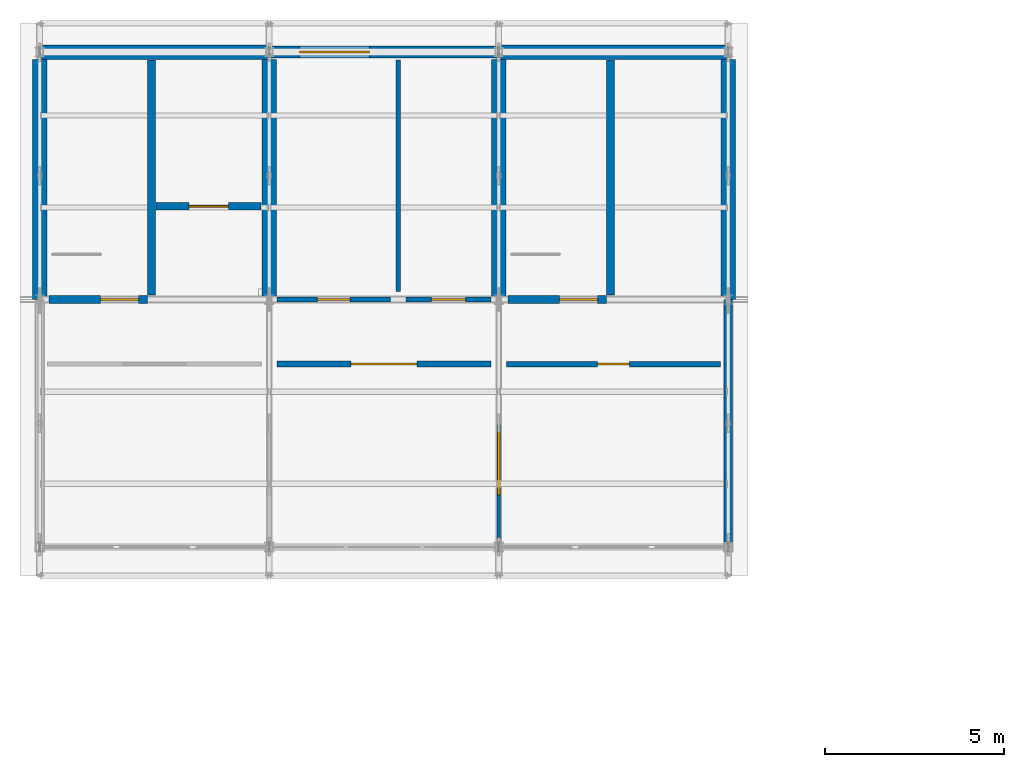
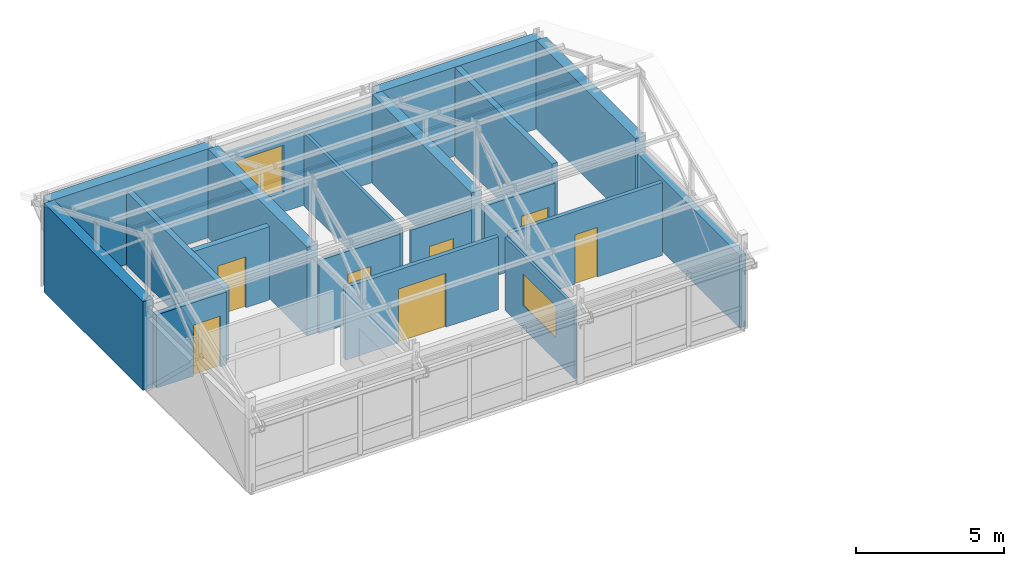
# One storey, part 9 of 11: 19 walls, 7 doors, 2 windows, 9 openings.
"""IFC4 building model written with IfcOpenShell, lengths in metres."""

from ifc_helpers import new_model, si_unit, direction, frame, frame_2d, origin, place, context, subcontext, project, spatial, rectangle, extrude, material, layer, layer_set, type_object, element, fill, save


model = new_model("IFC4")

# Units and contexts
model_context = context("Model", 3, precision=1e-05, world=origin(), true_north=direction((0.0, 1.0)))
body_context = subcontext(model_context, "Body", "Model", "MODEL_VIEW")
ifc_project = project(units=[si_unit("LENGTHUNIT", "METRE"), si_unit("AREAUNIT", "SQUARE_METRE"), si_unit("VOLUMEUNIT", "CUBIC_METRE"), si_unit("PLANEANGLEUNIT", "RADIAN"), si_unit("MASSUNIT", "GRAM", prefix="KILO")], contexts=[model_context])

# Site, building, storey
site_placement = place(None, origin())
site = spatial("IfcSite", under=ifc_project, at=site_placement, CompositionType="ELEMENT")
building_placement = place(site_placement, origin())
building = spatial("IfcBuilding", under=site, at=building_placement, Name="Trelmorton Wharf Fire Station", CompositionType="ELEMENT")
storey_placement = place(building_placement, frame((0.0, 0.0, 25.199951171875)))
storey = spatial("IfcBuildingStorey", under=building, at=storey_placement, Name="L06", CompositionType="ELEMENT", Elevation=25.199951171875)

# Wall
ifc_material_1 = material(Name="Precast concrete 45 MPa", Category="concrete")
ifc_layer_1 = layer(ifc_material_1, 0.25)
ifc_layer_set_1 = layer_set([ifc_layer_1], Name="Precast concrete 45 MPa")
wall_type_1 = type_object("IfcWallType", Name="EW_PREC_250", PredefinedType="SOLIDWALL", material=ifc_layer_set_1)
wall_1_placement = place(storey_placement, frame((90.0, 67.195068359375, 0.0), z_axis=(0.0, 0.0, 1.0), x_axis=(0.0, -1.0, 0.0)))
element("IfcWall", 1, at=wall_1_placement, inside=storey, type_object=wall_type_1, Name="EW-V2-L06-0199", PredefinedType="SOLIDWALL", context=body_context, shape_type="SweptSolid", body=[
    extrude(rectangle(XDim=6.89013671875, YDim=0.25, at=frame_2d((3.445068359375, 0.0))), origin(), (0.0, 0.0, 1.0), 3.02001953125),
])

# Wall, opening, window
ifc_layer_2 = layer(ifc_material_1, 0.330078125)
ifc_layer_set_2 = layer_set([ifc_layer_2], Name="Precast concrete 45 MPa")
wall_type_2 = type_object("IfcWallType", Name="EW_TERR_330", PredefinedType="SOLIDWALL", material=ifc_layer_set_2)
wall_2_placement = place(storey_placement, frame((77.205078125, 74.10009765625, 0.0), z_axis=(0.0, 0.0, 1.0), x_axis=(1.0, 0.0, 0.0)))
wall_2 = element("IfcWall", 2, at=wall_2_placement, inside=storey, type_object=wall_type_2, Name="EW-V2-L06-0197", PredefinedType="SOLIDWALL", context=body_context, shape_type="SweptSolid", body=[
    extrude(rectangle(XDim=6.389892578125, YDim=0.330078125, at=frame_2d((3.19482421875, 0.0))), origin(), (0.0, 0.0, 1.0), 3.02001953125),
])
opening_1_placement = place(wall_2_placement, frame((0.83740234375, 0.0, 0.800048828125)))
opening_1 = element("IfcOpeningElement", 3, at=opening_1_placement, cuts=wall_2, Name="Opening W46", PredefinedType="OPENING", context=body_context, shape_type="SweptSolid", body=[
    extrude(rectangle(XDim=1.949951171875, YDim=1.949951171875, at=frame_2d((0.97509765625, 0.97509765625))), frame((0.0, 0.175048828125, 0.0), z_axis=(0.0, -1.0, 0.0), x_axis=(1.0, 0.0, 0.0)), (0.0, 0.0, 1.0), 0.35009765625),
])
ifc_material_2 = material(Name="Tempered low-E double glazing", Category="glass")
window_type_1 = type_object("IfcWindowType", Name="WIN_W46", PartitioningType="DOUBLE_PANEL_VERTICAL", PredefinedType="WINDOW", material=ifc_material_2)
window_1_placement = place(opening_1_placement, origin())
window_1 = element("IfcWindow", 4, at=window_1_placement, inside=storey, type_object=window_type_1, Name="WN-V2-L06-0108", OverallHeight=1.949951171875, OverallWidth=1.949951171875, PartitioningType="DOUBLE_PANEL_VERTICAL", PredefinedType="WINDOW", context=body_context, shape_type="SweptSolid", body=[
    extrude(rectangle(XDim=1.949951171875, YDim=1.949951171875, at=frame_2d((0.97509765625, 0.97509765625))), frame((0.0, 0.030029296875, 0.0), z_axis=(0.0, -1.0, 0.0), x_axis=(1.0, 0.0, 0.0)), (0.0, 0.0, 1.0), 0.06005859375),
])
fill(opening_1, window_1)

# Wall, opening, door
ifc_material_3 = material(Name="Gypsum plasterboard partition")
ifc_layer_3 = layer(ifc_material_3, 0.14990234375)
ifc_layer_set_3 = layer_set([ifc_layer_3], Name="Gypsum plasterboard partition")
wall_type_3 = type_object("IfcWallType", Name="IW_ACOU_150", PredefinedType="PARTITIONING", material=ifc_layer_set_3)
wall_3_placement = place(storey_placement, frame((83.820068359375, 65.39990234375, 0.0), z_axis=(0.0, 0.0, 1.0), x_axis=(1.0, 0.0, 0.0)))
wall_3 = element("IfcWall", 5, at=wall_3_placement, inside=storey, type_object=wall_type_3, Name="IW-L06-0268", PredefinedType="PARTITIONING", context=body_context, shape_type="SweptSolid", body=[
    extrude(rectangle(XDim=5.9599609375, YDim=0.14990234375, at=frame_2d((2.97998046875, 0.0))), origin(), (0.0, 0.0, 1.0), 3.0),
])
opening_2_placement = place(wall_3_placement, frame((2.5400390625, 0.0, 0.0)))
opening_2 = element("IfcOpeningElement", 6, at=opening_2_placement, cuts=wall_3, Name="Opening D-181", PredefinedType="OPENING", context=body_context, shape_type="SweptSolid", body=[
    extrude(rectangle(XDim=0.8798828125, YDim=2.0400390625, at=frame_2d((0.43994140625, 1.02001953125))), frame((0.0, 0.0849609375, 0.0), z_axis=(0.0, -1.0, 0.0), x_axis=(1.0, 0.0, 0.0)), (0.0, 0.0, 1.0), 0.169921875),
])
ifc_material_4 = material(Name="Acoustic timber panelling", Category="wood")
door_type_1 = type_object("IfcDoorType", Name="DR_INT_088", OperationType="NOTDEFINED", PredefinedType="DOOR", material=ifc_material_4)
door_1_placement = place(opening_2_placement, origin())
door_1 = element("IfcDoor", 7, at=door_1_placement, inside=storey, type_object=door_type_1, Name="Interior Door D-181", OperationType="SINGLE_SWING_RIGHT", OverallHeight=2.0400390625, OverallWidth=0.8798828125, PredefinedType="DOOR", context=body_context, shape_type="SweptSolid", body=[
    extrude(rectangle(XDim=0.8798828125, YDim=2.0400390625, at=frame_2d((0.43994140625, 1.02001953125))), frame((0.0, 0.02490234375, 0.0), z_axis=(0.0, -1.0, 0.0), x_axis=(1.0, 0.0, 0.0)), (0.0, 0.0, 1.0), 0.050048828125),
])
fill(opening_2, door_1)

ifc_layer_4 = layer(ifc_material_3, 0.159912109375)
ifc_layer_set_4 = layer_set([ifc_layer_4], Name="Gypsum plasterboard partition")
wall_type_4 = type_object("IfcWallType", Name="IW_ACOU_160", PredefinedType="PARTITIONING", material=ifc_layer_set_4)
wall_4_placement = place(storey_placement, frame((77.419921875, 65.39990234375, 0.0), z_axis=(0.0, 0.0, 1.0), x_axis=(1.0, 0.0, 0.0)))
wall_4 = element("IfcWall", 8, at=wall_4_placement, inside=storey, type_object=wall_type_4, Name="IW-L06-0267", PredefinedType="PARTITIONING", context=body_context, shape_type="SweptSolid", body=[
    extrude(rectangle(XDim=5.9599609375, YDim=0.159912109375, at=frame_2d((2.97998046875, 0.0))), origin(), (0.0, 0.0, 1.0), 3.0),
])
opening_3_placement = place(wall_4_placement, frame((2.06005859375, 0.0, 0.0)))
opening_3 = element("IfcOpeningElement", 9, at=opening_3_placement, cuts=wall_4, Name="Opening D-180", PredefinedType="OPENING", context=body_context, shape_type="SweptSolid", body=[
    extrude(rectangle(XDim=1.840087890625, YDim=2.219970703125, at=frame_2d((0.919921875, 1.10986328125))), frame((0.0, 0.08984375, 0.0), z_axis=(0.0, -1.0, 0.0), x_axis=(1.0, 0.0, 0.0)), (0.0, 0.0, 1.0), 0.179931640625),
])
door_type_2 = type_object("IfcDoorType", Name="DR_INT_184", OperationType="DOUBLE_DOOR_SINGLE_SWING", PredefinedType="DOOR", material=ifc_material_4)
door_2_placement = place(opening_3_placement, origin())
door_2 = element("IfcDoor", 10, at=door_2_placement, inside=storey, type_object=door_type_2, Name="Interior Door D-180", OperationType="DOUBLE_DOOR_SINGLE_SWING", OverallHeight=2.219970703125, OverallWidth=1.840087890625, PredefinedType="DOOR", context=body_context, shape_type="SweptSolid", body=[
    extrude(rectangle(XDim=1.840087890625, YDim=2.219970703125, at=frame_2d((0.919921875, 1.10986328125))), frame((0.0, 0.02490234375, 0.0), z_axis=(0.0, -1.0, 0.0), x_axis=(1.0, 0.0, 0.0)), (0.0, 0.0, 1.0), 0.050048828125),
])
fill(opening_3, door_2)

# Wall
ifc_material_5 = material(Name="Concrete 40 MPa", Category="concrete")
ifc_layer_5 = layer(ifc_material_5, 0.219970703125)
ifc_layer_set_5 = layer_set([ifc_layer_5], Name="Concrete 40 MPa")
wall_type_5 = type_object("IfcWallType", Name="IW_CORE_220", PredefinedType="SOLIDWALL", material=ifc_layer_set_5)
wall_5_placement = place(storey_placement, frame((73.919921875, 67.320068359375, 0.0), z_axis=(0.0, 0.0, 1.0), x_axis=(0.0, 1.0, 0.0)))
element("IfcWall", 11, at=wall_5_placement, inside=storey, type_object=wall_type_5, Name="IW-C6-DIV-L06", PredefinedType="SOLIDWALL", context=body_context, shape_type="SweptSolid", body=[
    extrude(rectangle(XDim=6.554931640625, YDim=0.219970703125, at=frame_2d((3.27734375, 0.0))), origin(), (0.0, 0.0, 1.0), 3.02001953125),
])

# Wall, opening, door
wall_6_placement = place(storey_placement, frame((71.06005859375, 67.199951171875, 0.0), z_axis=(0.0, 0.0, 1.0), x_axis=(1.0, 0.0, 0.0)))
wall_6 = element("IfcWall", 12, at=wall_6_placement, inside=storey, type_object=wall_type_5, Name="IW-C6-SF-L06", PredefinedType="SOLIDWALL", context=body_context, shape_type="SweptSolid", body=[
    extrude(rectangle(XDim=2.739990234375, YDim=0.219970703125, at=frame_2d((1.3701171875, 0.0))), origin(), (0.0, 0.0, 1.0), 3.02001953125),
])
opening_4_placement = place(wall_6_placement, frame((1.43994140625, 0.0, 0.0)))
opening_4 = element("IfcOpeningElement", 13, at=opening_4_placement, cuts=wall_6, Name="Opening FD-034", PredefinedType="OPENING", context=body_context, shape_type="SweptSolid", body=[
    extrude(rectangle(XDim=1.06005859375, YDim=2.10009765625, at=frame_2d((0.530029296875, 1.050048828125))), frame((0.0, 0.1201171875, 0.0), z_axis=(0.0, -1.0, 0.0), x_axis=(1.0, 0.0, 0.0)), (0.0, 0.0, 1.0), 0.239990234375),
])
ifc_material_6 = material(Name="Stainless steel 316 marine grade", Category="steel")
door_type_3 = type_object("IfcDoorType", Name="DR_FIRE_106", OperationType="NOTDEFINED", PredefinedType="DOOR", material=ifc_material_6)
door_3_placement = place(opening_4_placement, origin())
door_3 = element("IfcDoor", 14, at=door_3_placement, inside=storey, type_object=door_type_3, Name="Stair Fire Door FD-034", OperationType="SINGLE_SWING_RIGHT", OverallHeight=2.10009765625, OverallWidth=1.06005859375, PredefinedType="DOOR", context=body_context, shape_type="SweptSolid", body=[
    extrude(rectangle(XDim=1.06005859375, YDim=2.10009765625, at=frame_2d((0.530029296875, 1.050048828125))), frame((0.0, 0.02490234375, 0.0), z_axis=(0.0, -1.0, 0.0), x_axis=(1.0, 0.0, 0.0)), (0.0, 0.0, 1.0), 0.050048828125),
])
fill(opening_4, door_3)

wall_7_placement = place(storey_placement, frame((74.0400390625, 69.800048828125, 0.0), z_axis=(0.0, 0.0, 1.0), x_axis=(1.0, 0.0, 0.0)))
wall_7 = element("IfcWall", 15, at=wall_7_placement, inside=storey, type_object=wall_type_5, Name="IW-C6-LSH-L06", PredefinedType="SOLIDWALL", context=body_context, shape_type="SweptSolid", body=[
    extrude(rectangle(XDim=2.93505859375, YDim=0.219970703125, at=frame_2d((1.467529296875, 0.0))), origin(), (0.0, 0.0, 1.0), 3.02001953125),
])
opening_5_placement = place(wall_7_placement, frame((0.91748046875, 0.0, 0.0)))
opening_5 = element("IfcOpeningElement", 16, at=opening_5_placement, cuts=wall_7, Name="Opening LD-032", PredefinedType="OPENING", context=body_context, shape_type="SweptSolid", body=[
    extrude(rectangle(XDim=1.10009765625, YDim=2.10009765625, at=frame_2d((0.550048828125, 1.050048828125))), frame((0.0, 0.1201171875, 0.0), z_axis=(0.0, -1.0, 0.0), x_axis=(1.0, 0.0, 0.0)), (0.0, 0.0, 1.0), 0.239990234375),
])
door_type_4 = type_object("IfcDoorType", Name="DR_LIFT_110", OperationType="DOUBLE_DOOR_SLIDING", PredefinedType="DOOR", material=ifc_material_6)
door_4_placement = place(opening_5_placement, origin())
door_4 = element("IfcDoor", 17, at=door_4_placement, inside=storey, type_object=door_type_4, Name="Lift Landing Door LD-032", OperationType="DOUBLE_DOOR_SLIDING", OverallHeight=2.10009765625, OverallWidth=1.10009765625, PredefinedType="DOOR", context=body_context, shape_type="SweptSolid", body=[
    extrude(rectangle(XDim=1.10009765625, YDim=2.10009765625, at=frame_2d((0.550048828125, 1.050048828125))), frame((0.0, 0.02490234375, 0.0), z_axis=(0.0, -1.0, 0.0), x_axis=(1.0, 0.0, 0.0)), (0.0, 0.0, 1.0), 0.050048828125),
])
fill(opening_5, door_4)

# Wall
wall_8_placement = place(storey_placement, frame((86.719970703125, 67.320068359375, 0.0), z_axis=(0.0, 0.0, 1.0), x_axis=(0.0, 1.0, 0.0)))
element("IfcWall", 18, at=wall_8_placement, inside=storey, type_object=wall_type_5, Name="IW-C6B-DIV-L06", PredefinedType="SOLIDWALL", context=body_context, shape_type="SweptSolid", body=[
    extrude(rectangle(XDim=6.554931640625, YDim=0.219970703125, at=frame_2d((3.27734375, 0.0))), origin(), (0.0, 0.0, 1.0), 3.66015625),
])

# Wall, opening, door
wall_9_placement = place(storey_placement, frame((83.860107421875, 67.199951171875, 0.0), z_axis=(0.0, 0.0, 1.0), x_axis=(1.0, 0.0, 0.0)))
wall_9 = element("IfcWall", 19, at=wall_9_placement, inside=storey, type_object=wall_type_5, Name="IW-C6B-SF-L06", PredefinedType="SOLIDWALL", context=body_context, shape_type="SweptSolid", body=[
    extrude(rectangle(XDim=2.739990234375, YDim=0.219970703125, at=frame_2d((1.3701171875, 0.0))), origin(), (0.0, 0.0, 1.0), 3.02001953125),
])
opening_6_placement = place(wall_9_placement, frame((1.43994140625, 0.0, 0.0)))
opening_6 = element("IfcOpeningElement", 20, at=opening_6_placement, cuts=wall_9, Name="Opening FD-041", PredefinedType="OPENING", context=body_context, shape_type="SweptSolid", body=[
    extrude(rectangle(XDim=1.06005859375, YDim=2.10009765625, at=frame_2d((0.530029296875, 1.050048828125))), frame((0.0, 0.1201171875, 0.0), z_axis=(0.0, -1.0, 0.0), x_axis=(1.0, 0.0, 0.0)), (0.0, 0.0, 1.0), 0.239990234375),
])
door_5_placement = place(opening_6_placement, origin())
door_5 = element("IfcDoor", 21, at=door_5_placement, inside=storey, type_object=door_type_3, Name="Stair Fire Door FD-041", OperationType="SINGLE_SWING_LEFT", OverallHeight=2.10009765625, OverallWidth=1.06005859375, PredefinedType="DOOR", context=body_context, shape_type="SweptSolid", body=[
    extrude(rectangle(XDim=1.06005859375, YDim=2.10009765625, at=frame_2d((0.530029296875, 1.050048828125))), frame((0.0, 0.02490234375, 0.0), z_axis=(0.0, -1.0, 0.0), x_axis=(1.0, 0.0, 0.0)), (0.0, 0.0, 1.0), 0.050048828125),
])
fill(opening_6, door_5)

# Wall, opening, window
ifc_layer_6 = layer(ifc_material_3, 0.10009765625)
ifc_layer_set_6 = layer_set([ifc_layer_6], Name="Gypsum plasterboard partition")
wall_type_6 = type_object("IfcWallType", Name="IW_PART_100", PredefinedType="PARTITIONING", material=ifc_layer_set_6)
wall_10_placement = place(storey_placement, frame((83.60009765625, 60.52001953125, 0.0), z_axis=(0.0, 0.0, 1.0), x_axis=(0.0, 1.0, 0.0)))
wall_10 = element("IfcWall", 22, at=wall_10_placement, inside=storey, type_object=wall_type_6, Name="IW-L06-0266", PredefinedType="PARTITIONING", context=body_context, shape_type="SweptSolid", body=[
    extrude(rectangle(XDim=4.659912109375, YDim=0.10009765625, at=frame_2d((2.330078125, 0.0))), origin(), (0.0, 0.0, 1.0), 3.0),
])
opening_7_placement = place(wall_10_placement, frame((1.22998046875, 0.0, 0.949951171875)))
opening_7 = element("IfcOpeningElement", 23, at=opening_7_placement, cuts=wall_10, Name="Opening IW-OB1", PredefinedType="OPENING", context=body_context, shape_type="SweptSolid", body=[
    extrude(rectangle(XDim=2.199951171875, YDim=1.300048828125, at=frame_2d((1.10009765625, 0.64990234375))), frame((0.0, 0.06005859375, 0.0), z_axis=(0.0, -1.0, 0.0), x_axis=(1.0, 0.0, 0.0)), (0.0, 0.0, 1.0), 0.1201171875),
])
window_type_2 = type_object("IfcWindowType", Name="WIN_INT_220", PartitioningType="DOUBLE_PANEL_VERTICAL", PredefinedType="WINDOW", material=ifc_material_2)
window_2_placement = place(opening_7_placement, origin())
window_2 = element("IfcWindow", 24, at=window_2_placement, inside=storey, type_object=window_type_2, Name="WN-INT-0266", OverallHeight=1.300048828125, OverallWidth=2.199951171875, PartitioningType="DOUBLE_PANEL_VERTICAL", PredefinedType="WINDOW", context=body_context, shape_type="SweptSolid", body=[
    extrude(rectangle(XDim=2.199951171875, YDim=1.300048828125, at=frame_2d((1.10009765625, 0.64990234375))), frame((0.0, 0.030029296875, 0.0), z_axis=(0.0, -1.0, 0.0), x_axis=(1.0, 0.0, 0.0)), (0.0, 0.0, 1.0), 0.06005859375),
])
fill(opening_7, window_2)

# Wall, opening, door
ifc_layer_7 = layer(ifc_material_3, 0.1298828125)
ifc_layer_set_7 = layer_set([ifc_layer_7], Name="Gypsum plasterboard partition")
wall_type_7 = type_object("IfcWallType", Name="IW_PART_130", PredefinedType="PARTITIONING", material=ifc_layer_set_7)
wall_11_placement = place(storey_placement, frame((81.02001953125, 67.199951171875, 0.0), z_axis=(0.0, 0.0, 1.0), x_axis=(1.0, 0.0, 0.0)))
wall_11 = element("IfcWall", 25, at=wall_11_placement, inside=storey, type_object=wall_type_7, Name="IW-L06-0270", PredefinedType="PARTITIONING", context=body_context, shape_type="SweptSolid", body=[
    extrude(rectangle(XDim=2.35986328125, YDim=0.1298828125, at=frame_2d((1.179931640625, 0.0))), origin(), (0.0, 0.0, 1.0), 3.0),
])
opening_8_placement = place(wall_11_placement, frame((0.7099609375, 0.0, 0.0)))
opening_8 = element("IfcOpeningElement", 26, at=opening_8_placement, cuts=wall_11, Name="Opening D-183", PredefinedType="OPENING", context=body_context, shape_type="SweptSolid", body=[
    extrude(rectangle(XDim=0.93994140625, YDim=2.080078125, at=frame_2d((0.469970703125, 1.0400390625))), frame((0.0, 0.074951171875, 0.0), z_axis=(0.0, -1.0, 0.0), x_axis=(1.0, 0.0, 0.0)), (0.0, 0.0, 1.0), 0.14990234375),
])
door_type_5 = type_object("IfcDoorType", Name="DR_INT_094", OperationType="NOTDEFINED", PredefinedType="DOOR", material=ifc_material_4)
door_6_placement = place(opening_8_placement, origin())
door_6 = element("IfcDoor", 27, at=door_6_placement, inside=storey, type_object=door_type_5, Name="Interior Door D-183", OperationType="SINGLE_SWING_RIGHT", OverallHeight=2.080078125, OverallWidth=0.93994140625, PredefinedType="DOOR", context=body_context, shape_type="SweptSolid", body=[
    extrude(rectangle(XDim=0.93994140625, YDim=2.080078125, at=frame_2d((0.469970703125, 1.0400390625))), frame((0.0, 0.02490234375, 0.0), z_axis=(0.0, -1.0, 0.0), x_axis=(1.0, 0.0, 0.0)), (0.0, 0.0, 1.0), 0.050048828125),
])
fill(opening_8, door_6)

ifc_layer_8 = layer(ifc_material_3, 0.139892578125)
ifc_layer_set_8 = layer_set([ifc_layer_8], Name="Gypsum plasterboard partition")
wall_type_8 = type_object("IfcWallType", Name="IW_PART_140", PredefinedType="PARTITIONING", material=ifc_layer_set_8)
wall_12_placement = place(storey_placement, frame((77.419921875, 67.199951171875, 0.0), z_axis=(0.0, 0.0, 1.0), x_axis=(1.0, 0.0, 0.0)))
wall_12 = element("IfcWall", 28, at=wall_12_placement, inside=storey, type_object=wall_type_8, Name="IW-L06-0269", PredefinedType="PARTITIONING", context=body_context, shape_type="SweptSolid", body=[
    extrude(rectangle(XDim=3.16015625, YDim=0.139892578125, at=frame_2d((1.580078125, 0.0))), origin(), (0.0, 0.0, 1.0), 3.0),
])
opening_9_placement = place(wall_12_placement, frame((1.125, 0.0, 0.0)))
opening_9 = element("IfcOpeningElement", 29, at=opening_9_placement, cuts=wall_12, Name="Opening D-182", PredefinedType="OPENING", context=body_context, shape_type="SweptSolid", body=[
    extrude(rectangle(XDim=0.909912109375, YDim=2.06005859375, at=frame_2d((0.455078125, 1.030029296875))), frame((0.0, 0.080078125, 0.0), z_axis=(0.0, -1.0, 0.0), x_axis=(1.0, 0.0, 0.0)), (0.0, 0.0, 1.0), 0.159912109375),
])
door_type_6 = type_object("IfcDoorType", Name="DR_INT_091", OperationType="NOTDEFINED", PredefinedType="DOOR", material=ifc_material_4)
door_7_placement = place(opening_9_placement, origin())
door_7 = element("IfcDoor", 30, at=door_7_placement, inside=storey, type_object=door_type_6, Name="Interior Door D-182", OperationType="SINGLE_SWING_LEFT", OverallHeight=2.06005859375, OverallWidth=0.909912109375, PredefinedType="DOOR", context=body_context, shape_type="SweptSolid", body=[
    extrude(rectangle(XDim=0.909912109375, YDim=2.06005859375, at=frame_2d((0.455078125, 1.030029296875))), frame((0.0, 0.02490234375, 0.0), z_axis=(0.0, -1.0, 0.0), x_axis=(1.0, 0.0, 0.0)), (0.0, 0.0, 1.0), 0.050048828125),
])
fill(opening_9, door_7)

# Walls
ifc_layer_9 = layer(ifc_material_3, 0.1201171875)
ifc_layer_set_9 = layer_set([ifc_layer_9], Name="Gypsum plasterboard partition")
wall_type_9 = type_object("IfcWallType", Name="IW_WET_120", PredefinedType="PARTITIONING", material=ifc_layer_set_9)
wall_13_placement = place(storey_placement, frame((80.800048828125, 67.419921875, 0.0), z_axis=(0.0, 0.0, 1.0), x_axis=(0.0, 1.0, 0.0)))
element("IfcWall", 31, at=wall_13_placement, inside=storey, type_object=wall_type_9, Name="IW-L06-0271", PredefinedType="PARTITIONING", context=body_context, shape_type="SweptSolid", body=[
    extrude(rectangle(XDim=6.4599609375, YDim=0.1201171875, at=frame_2d((3.22998046875, 0.0))), origin(), (0.0, 0.0, 1.0), 3.0),
])
ifc_material_7 = material(Name="Concrete 50 MPa", Category="concrete")
ifc_layer_10 = layer(ifc_material_7, 0.39990234375)
ifc_layer_set_10 = layer_set([ifc_layer_10], Name="Concrete 50 MPa")
wall_type_10 = type_object("IfcWallType", Name="WL_CORE_400", PredefinedType="SHEAR", material=ifc_layer_set_10)
wall_14_placement = place(storey_placement, frame((70.800048828125, 74.10009765625, 0.0), z_axis=(0.0, 0.0, 1.0), x_axis=(1.0, 0.0, 0.0)))
element("IfcWall", 32, at=wall_14_placement, inside=storey, type_object=wall_type_10, Name="WL-SW-C6-L06-100", PredefinedType="SHEAR", context=body_context, shape_type="SweptSolid", body=[
    extrude(rectangle(XDim=6.39990234375, YDim=0.39990234375, at=frame_2d((3.199951171875, 0.0))), origin(), (0.0, 0.0, 1.0), 3.66015625),
])
for number, where, z_axis, x_axis, name in (
    (33, (70.800048828125, 67.199951171875, 0.0), (0.0, 0.0, 1.0), (0.0, 1.0, 0.0), "WL-SW-C6-L06-101"),
    (34, (77.199951171875, 67.199951171875, 0.0), (0.0, 0.0, 1.0), (0.0, 1.0, 0.0), "WL-SW-C6-L06-102"),
):
    element("IfcWall", number, at=place(storey_placement, frame(where, z_axis=z_axis, x_axis=x_axis)), inside=storey, type_object=wall_type_10, Name=name, PredefinedType="SHEAR", context=body_context, shape_type="SweptSolid", body=[
        extrude(rectangle(XDim=6.699951171875, YDim=0.39990234375, at=frame_2d((3.35009765625, 0.0))), origin(), (0.0, 0.0, 1.0), 3.66015625),
    ])
wall_15_placement = place(storey_placement, frame((83.60009765625, 74.10009765625, 0.0), z_axis=(0.0, 0.0, 1.0), x_axis=(1.0, 0.0, 0.0)))
element("IfcWall", 35, at=wall_15_placement, inside=storey, type_object=wall_type_10, Name="WL-SW-C6B-L06-121", PredefinedType="SHEAR", context=body_context, shape_type="SweptSolid", body=[
    extrude(rectangle(XDim=6.39990234375, YDim=0.39990234375, at=frame_2d((3.199951171875, 0.0))), origin(), (0.0, 0.0, 1.0), 3.66015625),
])
for number, where, z_axis, x_axis, name in (
    (36, (83.60009765625, 67.199951171875, 0.0), (0.0, 0.0, 1.0), (0.0, 1.0, 0.0), "WL-SW-C6B-L06-122"),
    (37, (90.0, 67.199951171875, 0.0), (0.0, 0.0, 1.0), (0.0, 1.0, 0.0), "WL-SW-C6B-L06-123"),
):
    element("IfcWall", number, at=place(storey_placement, frame(where, z_axis=z_axis, x_axis=x_axis)), inside=storey, type_object=wall_type_10, Name=name, PredefinedType="SHEAR", context=body_context, shape_type="SweptSolid", body=[
        extrude(rectangle(XDim=6.699951171875, YDim=0.39990234375, at=frame_2d((3.35009765625, 0.0))), origin(), (0.0, 0.0, 1.0), 3.66015625),
    ])

save(model, "model.ifc")
